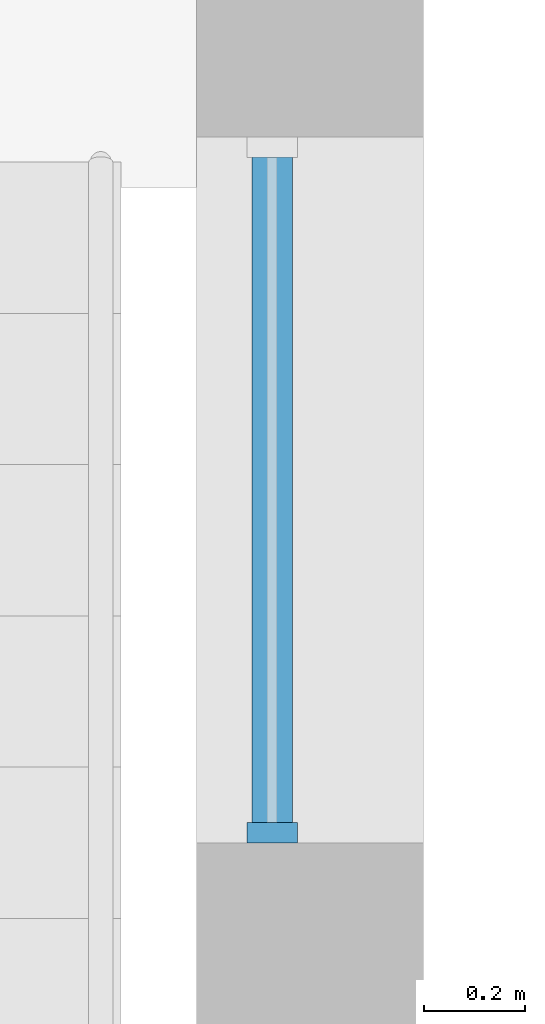
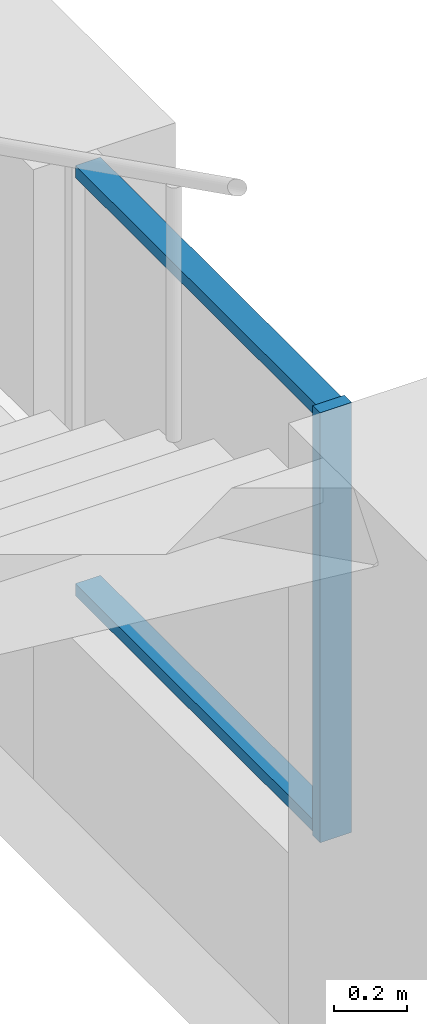
# One storey, part 14 of 48: 3 members, 1 element without a shape of its own.
"""IFC4 building model written with IfcOpenShell, lengths in metres."""

from ifc_helpers import new_model, si_unit, direction, frame, origin, origin_2d, place, context, subcontext, project, spatial, rectangle, extrude, material, material_profile, profile_set, type_object, element, aggregate, save


model = new_model("IFC4")

# Units and contexts
model_context = context("Model", 3, precision=1e-05, world=origin(), true_north=direction((0.0, 1.0)))
body_context = subcontext(model_context, "Body", "Model", "MODEL_VIEW")
ifc_project = project(units=[si_unit("LENGTHUNIT", "METRE"), si_unit("AREAUNIT", "SQUARE_METRE"), si_unit("VOLUMEUNIT", "CUBIC_METRE"), si_unit("PLANEANGLEUNIT", "RADIAN"), si_unit("MASSUNIT", "GRAM", prefix="KILO")], contexts=[model_context])

# Site, building, storey
site_placement = place(None, origin())
site = spatial("IfcSite", under=ifc_project, at=site_placement, CompositionType="ELEMENT")
building_placement = place(site_placement, origin())
building = spatial("IfcBuilding", under=site, at=building_placement, Name="Yavir Park General Hospital", CompositionType="ELEMENT")
storey_placement = place(building_placement, frame((0.0, 0.0, 12.89990234375)))
storey = spatial("IfcBuildingStorey", under=building, at=storey_placement, Name="I02", CompositionType="ELEMENT", Elevation=12.89990234375)

# Curtain wall, members
ifc_material_1 = material(Name="Aluminium curtain wall frame with insulated glazing", Category="aluminium")
curtain_wall_type = type_object("IfcCurtainWallType", Name="Stair light slot, interstitial floor, 1440 high, 1400 module", PredefinedType="NOTDEFINED", material=ifc_material_1)
curtain_wall_placement = place(storey_placement, origin())
curtain_wall = element("IfcCurtainWall", 1, at=curtain_wall_placement, inside=storey, type_object=curtain_wall_type, Name="CW12 I02-010", PredefinedType="NOTDEFINED")
ifc_material_2 = material(Name="Aluminium", Category="aluminium")
ifc_material_profile_1 = material_profile(ifc_material_2, rectangle(XDim=0.10009765625, YDim=0.0400390625, at=origin_2d()), Name="AL 40x100")
ifc_profile_set_1 = profile_set([ifc_material_profile_1], Name="Aluminium")
member_type_1 = type_object("IfcMemberType", Name="Stair light slot, interstitial floor, 1440 high mullion 40 x 100", PredefinedType="MULLION", material=ifc_profile_set_1)
member_1_placement = place(storey_placement, frame((25.199951171875, 78.77001953125, 0.60009765625), z_axis=(0.0, 0.0, 1.0), x_axis=(-1.0, 0.0, 0.0)))
member_1 = element("IfcMember", 2, at=member_1_placement, type_object=member_type_1, Name="CW12 mullion 1", PredefinedType="MULLION", context=body_context, shape_type="SweptSolid", body=[
    extrude(rectangle(XDim=0.10009765625, YDim=0.0400390625, at=origin_2d()), origin(), (0.0, 0.0, 1.0), 1.43994140625),
])
ifc_material_3 = material(Name="Aluminium", Category="aluminium")
ifc_material_profile_2 = material_profile(ifc_material_3, rectangle(XDim=0.080078125, YDim=0.0400390625, at=origin_2d()), Name="AL 80x40")
ifc_profile_set_2 = profile_set([ifc_material_profile_2], Name="Aluminium")
member_type_2 = type_object("IfcMemberType", Name="Stair light slot, interstitial floor, 1440 high transom 40 x 80", PredefinedType="MULLION", material=ifc_profile_set_2)
member_2_placement = place(storey_placement, frame((25.199951171875, 78.7900390625, 0.6201171875), z_axis=(0.0, 1.0, 0.0), x_axis=(-1.0, 0.0, 0.0)))
member_2 = element("IfcMember", 3, at=member_2_placement, type_object=member_type_2, Name="CW12 transom 1.1", PredefinedType="MULLION", context=body_context, shape_type="SweptSolid", body=[
    extrude(rectangle(XDim=0.080078125, YDim=0.0400390625, at=origin_2d()), origin(), (0.0, 0.0, 1.0), 1.320068359375),
])
member_3_placement = place(storey_placement, frame((25.199951171875, 78.7900390625, 2.02001953125), z_axis=(0.0, 1.0, 0.0), x_axis=(-1.0, 0.0, 0.0)))
member_3 = element("IfcMember", 4, at=member_3_placement, type_object=member_type_2, Name="CW12 transom 1.2", PredefinedType="MULLION", context=body_context, shape_type="SweptSolid", body=[
    extrude(rectangle(XDim=0.080078125, YDim=0.0400390625, at=origin_2d()), origin(), (0.0, 0.0, 1.0), 1.320068359375),
])
aggregate(curtain_wall, [member_1, member_2, member_3])

save(model, "model.ifc")
